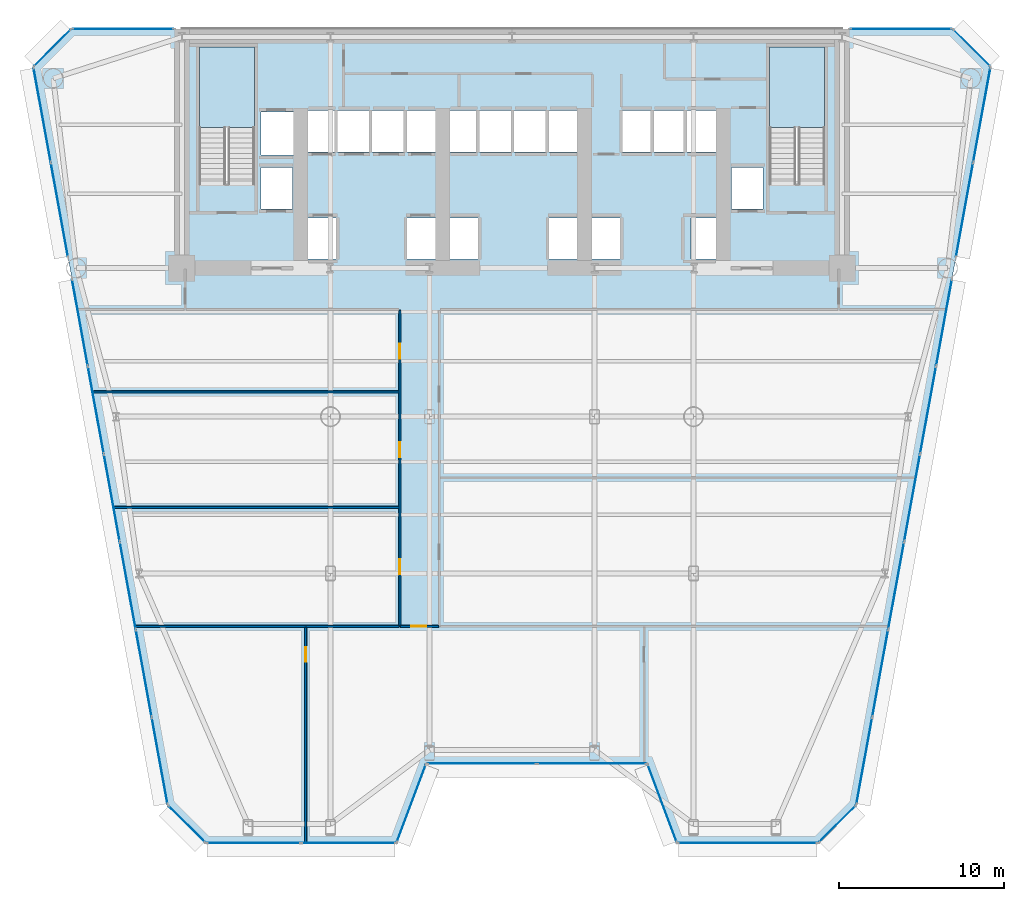
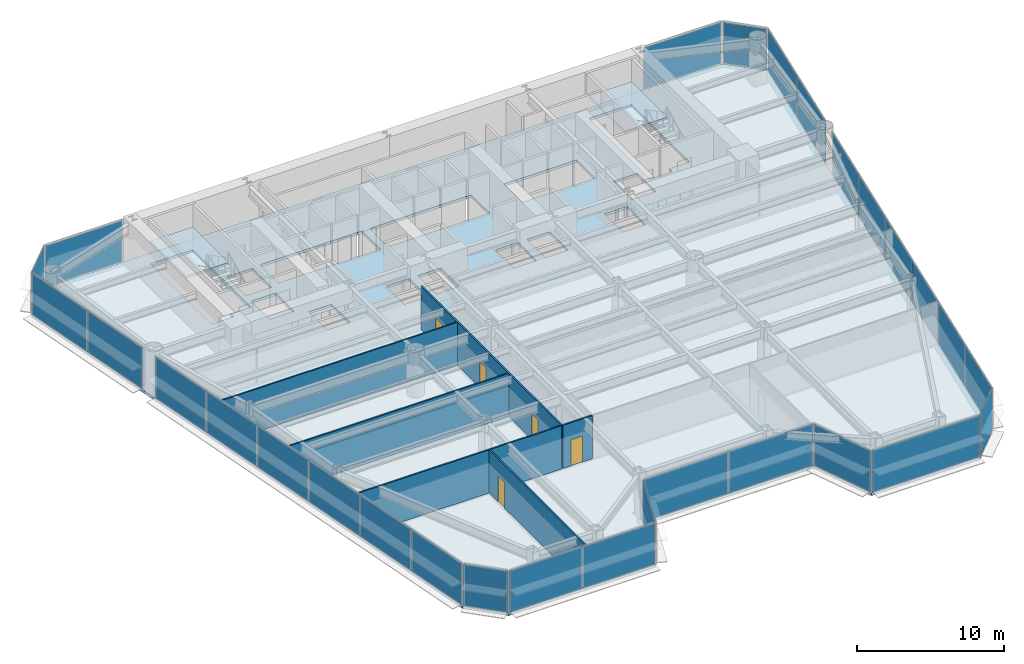
# One storey, part 7 of 14: 29 plates, 6 walls, 5 doors, 3 slabs, 5 openings, 17 elements without a shape of their own.
"""IFC4 building model written with IfcOpenShell, lengths in metres."""

from ifc_helpers import new_model, si_unit, direction, frame, frame_2d, origin, origin_2d, place, context, subcontext, project, spatial, polyline, rectangle, outline, extrude, source, transform, mapped, material, layer, layer_set, type_object, element, fill, aggregate, save


model = new_model("IFC4")

# Units and contexts
model_context = context("Model", 3, precision=1e-05, world=origin(), true_north=direction((0.0, 1.0)))
body_context = subcontext(model_context, "Body", "Model", "MODEL_VIEW")
ifc_project = project(units=[si_unit("LENGTHUNIT", "METRE"), si_unit("AREAUNIT", "SQUARE_METRE"), si_unit("VOLUMEUNIT", "CUBIC_METRE"), si_unit("PLANEANGLEUNIT", "RADIAN"), si_unit("MASSUNIT", "GRAM", prefix="KILO")], contexts=[model_context])

# Site, building, storey
site_placement = place(None, origin())
site = spatial("IfcSite", under=ifc_project, at=site_placement, CompositionType="ELEMENT")
building_placement = place(site_placement, origin())
building = spatial("IfcBuilding", under=site, at=building_placement, Name="Vaeldorn Concourse Tower", CompositionType="ELEMENT")
storey_placement = place(building_placement, frame((0.0, 0.0, 45.39990234375)))
storey = spatial("IfcBuildingStorey", under=building, at=storey_placement, Name="L11", CompositionType="ELEMENT", Elevation=45.39990234375)

# Stair, slab
ifc_material_1 = material(Name="Precast concrete C40/50", Category="concrete")
stair_type = type_object("IfcStairType", Name="STR-DOG-24x158", PredefinedType="HALF_TURN_STAIR", material=ifc_material_1)
stair_1_placement = place(storey_placement, origin())
stair_1 = element("IfcStair", 1, at=stair_1_placement, inside=storey, type_object=stair_type, Name="L11 West Core Exit Stair ST-1", PredefinedType="HALF_TURN_STAIR")
ifc_material_2 = material(Name="Concrete C40/50", Category="concrete")
ifc_layer_1 = layer(ifc_material_2, 0.199951171875)
ifc_layer_set_1 = layer_set([ifc_layer_1], Name="Concrete C40/50")
slab_type_1 = type_object("IfcSlabType", Name="SL-STAIR-LANDING", PredefinedType="LANDING", material=ifc_layer_set_1)
slab_1_placement = place(storey_placement, frame((0.0, 0.0, 1.7001953125)))
slab_1 = element("IfcSlab", 2, at=slab_1_placement, type_object=slab_type_1, Name="ST-1 landing 1", PredefinedType="LANDING", context=body_context, shape_type="SweptSolid", body=[
    extrude(outline(polyline([(18.39990234375, 45.010009765625), (18.39990234375, 49.89990234375), (15.050048828125, 49.89990234375), (15.050048828125, 45.010009765625), (18.39990234375, 45.010009765625)])), origin(), (0.0, 0.0, 1.0), 0.199951171875),
])
aggregate(stair_1, [slab_1])

stair_2_placement = place(storey_placement, origin())
stair_2 = element("IfcStair", 3, at=stair_2_placement, inside=storey, type_object=stair_type, Name="L11 East Core Exit Stair ST-2", PredefinedType="HALF_TURN_STAIR")
slab_2_placement = place(storey_placement, frame((0.0, 0.0, 1.7001953125)))
slab_2 = element("IfcSlab", 4, at=slab_2_placement, type_object=slab_type_1, Name="ST-2 landing 1", PredefinedType="LANDING", context=body_context, shape_type="SweptSolid", body=[
    extrude(outline(polyline([(52.949951171875, 45.010009765625), (52.949951171875, 49.89990234375), (49.60009765625, 49.89990234375), (49.60009765625, 45.010009765625), (52.949951171875, 45.010009765625)])), origin(), (0.0, 0.0, 1.0), 0.199951171875),
])
aggregate(stair_2, [slab_2])

# Slab
ifc_layer_2 = layer(ifc_material_2, 0.219970703125)
ifc_layer_set_2 = layer_set([ifc_layer_2], Name="Concrete C40/50")
slab_type_2 = type_object("IfcSlabType", Name="SL-TYP-220", PredefinedType="FLOOR", material=ifc_layer_set_2)
slab_3_placement = place(storey_placement, frame((0.0, 0.0, -0.219970703125)))
element("IfcSlab", 5, at=slab_3_placement, inside=storey, type_object=slab_type_2, Name="Structural Floor Slab L11", PredefinedType="FLOOR", context=body_context, shape_type="SweptSolid", body=[
    extrude(outline(polyline([(15.43896484375, 1.673583984375), (27.0, 1.673583984375), (28.800048828125, 6.473388671875), (42.199951171875, 6.473388671875), (44.0, 1.673583984375), (52.56103515625, 1.673583984375), (54.861083984375, 3.973388671875), (63.0, 48.699951171875), (60.699951171875, 51.0), (7.300048828125, 51.0), (5.0, 48.699951171875), (13.138916015625, 3.973388671875), (15.43896484375, 1.673583984375)]), holes=[polyline([(18.39990234375, 42.0), (18.39990234375, 49.89990234375), (15.050048828125, 49.89990234375), (15.050048828125, 41.60009765625), (16.800048828125, 41.60009765625), (16.800048828125, 42.0), (18.39990234375, 42.0)]), polyline([(52.949951171875, 42.0), (52.949951171875, 49.89990234375), (49.60009765625, 49.89990234375), (49.60009765625, 41.60009765625), (51.35009765625, 41.60009765625), (51.35009765625, 42.0), (52.949951171875, 42.0)]), polyline([(21.550048828125, 37.050048828125), (23.35009765625, 37.050048828125), (23.35009765625, 39.550048828125), (21.550048828125, 39.550048828125), (21.550048828125, 37.050048828125)]), polyline([(27.64990234375, 37.050048828125), (29.449951171875, 37.050048828125), (29.449951171875, 39.550048828125), (27.64990234375, 39.550048828125), (27.64990234375, 37.050048828125)]), polyline([(21.5, 43.550048828125), (29.5, 43.550048828125), (29.5, 46.050048828125), (21.5, 46.050048828125), (21.5, 43.550048828125)]), polyline([(30.14990234375, 37.050048828125), (31.949951171875, 37.050048828125), (31.949951171875, 39.550048828125), (30.14990234375, 39.550048828125), (30.14990234375, 37.050048828125)]), polyline([(36.25, 37.050048828125), (38.050048828125, 37.050048828125), (38.050048828125, 39.550048828125), (36.25, 39.550048828125), (36.25, 37.050048828125)]), polyline([(30.10009765625, 43.550048828125), (38.10009765625, 43.550048828125), (38.10009765625, 46.050048828125), (30.10009765625, 46.050048828125), (30.10009765625, 43.550048828125)]), polyline([(38.75, 37.050048828125), (40.550048828125, 37.050048828125), (40.550048828125, 39.550048828125), (38.75, 39.550048828125), (38.75, 37.050048828125)]), polyline([(44.85009765625, 37.050048828125), (46.64990234375, 37.050048828125), (46.64990234375, 39.550048828125), (44.85009765625, 39.550048828125), (44.85009765625, 37.050048828125)]), polyline([(40.699951171875, 43.550048828125), (46.39990234375, 43.550048828125), (46.39990234375, 46.050048828125), (40.699951171875, 46.050048828125), (40.699951171875, 43.550048828125)]), polyline([(18.800048828125, 43.35009765625), (20.800048828125, 43.35009765625), (20.800048828125, 45.949951171875), (18.800048828125, 45.949951171875), (18.800048828125, 43.35009765625)]), polyline([(18.800048828125, 40.10009765625), (20.699951171875, 40.10009765625), (20.699951171875, 42.60009765625), (18.800048828125, 42.60009765625), (18.800048828125, 40.10009765625)]), polyline([(47.300048828125, 40.10009765625), (49.199951171875, 40.10009765625), (49.199951171875, 42.60009765625), (47.300048828125, 42.60009765625), (47.300048828125, 40.10009765625)])]), origin(), (0.0, 0.0, 1.0), 0.219970703125),
])

# Curtain wall, plate
ifc_material_3 = material(Name="Anodised Bronze Aluminium", Category="aluminium")
ifc_layer_3 = layer(ifc_material_3, 0.219970703125)
ifc_layer_set_3 = layer_set([ifc_layer_3], Name="Anodised Bronze Aluminium")
curtain_wall_type = type_object("IfcCurtainWallType", Name="CW-SYS-01", PredefinedType="NOTDEFINED", material=ifc_layer_set_3)
curtain_wall_1_placement = place(storey_placement, origin())
curtain_wall_1 = element("IfcCurtainWall", 6, at=curtain_wall_1_placement, inside=storey, type_object=curtain_wall_type, Name="Unitised Curtain Wall CW-L11-E02-1", PredefinedType="NOTDEFINED")
ifc_material_4 = material(Name="Bronze Tinted Low-E Insulated Glass", Category="glass")
ifc_layer_4 = layer(ifc_material_4, 0.031982421875)
ifc_layer_set_4 = layer_set([ifc_layer_4], Name="Bronze Tinted Low-E Insulated Glass")
plate_type = type_object("IfcPlateType", Name="CWP-VISION-32", PredefinedType="CURTAIN_PANEL", material=ifc_layer_set_4)
shared_shape_1 = source(origin(), body_context, "Body", "SweptSolid", [
    extrude(rectangle(XDim=4.976318359375, YDim=0.031982421875, at=origin_2d()), origin(), (0.0, 0.0, 1.0), 3.429931640625),
])
plate_1_placement = place(storey_placement, frame((27.89990234375, 4.073486328125, 0.0751953125), z_axis=(0.0, 0.0, 1.0), x_axis=(0.351123441595, 0.936329177566, 0.0)))
plate_1 = element("IfcPlate", 7, at=plate_1_placement, type_object=plate_type, Name="CW-01 panel 1.1", PredefinedType="CURTAIN_PANEL", context=body_context, shape_type="MappedRepresentation", body=[
    mapped(shared_shape_1, transform((0.0, 0.0, 0.0), scale=1.0)),
])
aggregate(curtain_wall_1, [plate_1])

curtain_wall_2_placement = place(storey_placement, origin())
curtain_wall_2 = element("IfcCurtainWall", 8, at=curtain_wall_2_placement, inside=storey, type_object=curtain_wall_type, Name="Unitised Curtain Wall CW-L11-E04-1", PredefinedType="NOTDEFINED")
plate_2_placement = place(storey_placement, frame((43.10009765625, 4.073486328125, 0.0751953125), z_axis=(0.0, 0.0, 1.0), x_axis=(0.351123441595, -0.936329177566, 0.0)))
plate_2 = element("IfcPlate", 9, at=plate_2_placement, type_object=plate_type, Name="CW-01 panel 1.1", PredefinedType="CURTAIN_PANEL", context=body_context, shape_type="MappedRepresentation", body=[
    mapped(shared_shape_1, transform((0.0, 0.0, 0.0), scale=1.0)),
])
aggregate(curtain_wall_2, [plate_2])

# Curtain wall, plates
curtain_wall_3_placement = place(storey_placement, origin())
curtain_wall_3 = element("IfcCurtainWall", 10, at=curtain_wall_3_placement, inside=storey, type_object=curtain_wall_type, Name="Unitised Curtain Wall CW-L11-E03-1", PredefinedType="NOTDEFINED")
shared_shape_2 = source(origin(), body_context, "Body", "SweptSolid", [
    extrude(rectangle(XDim=6.58740234375, YDim=0.031982421875, at=origin_2d()), origin(), (0.0, 0.0, 1.0), 3.429931640625),
])
plate_3_placement = place(storey_placement, frame((32.168701171875, 6.473388671875, 0.0751953125), z_axis=(0.0, 0.0, 1.0), x_axis=(1.0, 0.0, 0.0)))
plate_3 = element("IfcPlate", 11, at=plate_3_placement, type_object=plate_type, Name="CW-01 panel 1.1", PredefinedType="CURTAIN_PANEL", context=body_context, shape_type="MappedRepresentation", body=[
    mapped(shared_shape_2, transform((0.0, 0.0, 0.0), scale=1.0)),
])
plate_4_placement = place(storey_placement, frame((38.831298828125, 6.473388671875, 0.0751953125), z_axis=(0.0, 0.0, 1.0), x_axis=(1.0, 0.0, 0.0)))
plate_4 = element("IfcPlate", 12, at=plate_4_placement, type_object=plate_type, Name="CW-01 panel 2.1", PredefinedType="CURTAIN_PANEL", context=body_context, shape_type="MappedRepresentation", body=[
    mapped(shared_shape_2, transform((0.0, 0.0, 0.0), scale=1.0)),
])
aggregate(curtain_wall_3, [plate_3, plate_4])

# Curtain wall, plate
curtain_wall_4_placement = place(storey_placement, origin())
curtain_wall_4 = element("IfcCurtainWall", 13, at=curtain_wall_4_placement, inside=storey, type_object=curtain_wall_type, Name="Unitised Curtain Wall CW-L11-E06-1", PredefinedType="NOTDEFINED")
shared_shape_3 = source(origin(), body_context, "Body", "SweptSolid", [
    extrude(rectangle(XDim=3.102783203125, YDim=0.031982421875, at=origin_2d()), origin(), (0.0, 0.0, 1.0), 3.429931640625),
])
plate_5_placement = place(storey_placement, frame((53.711181640625, 2.823486328125, 0.0751953125), z_axis=(0.0, 0.0, 1.0), x_axis=(0.707106781187, 0.707106781187, 0.0)))
plate_5 = element("IfcPlate", 14, at=plate_5_placement, type_object=plate_type, Name="CW-01 panel 1.1", PredefinedType="CURTAIN_PANEL", context=body_context, shape_type="MappedRepresentation", body=[
    mapped(shared_shape_3, transform((0.0, 0.0, 0.0), scale=1.0)),
])
aggregate(curtain_wall_4, [plate_5])

curtain_wall_5_placement = place(storey_placement, origin())
curtain_wall_5 = element("IfcCurtainWall", 15, at=curtain_wall_5_placement, inside=storey, type_object=curtain_wall_type, Name="Unitised Curtain Wall CW-L11-E08-1", PredefinedType="NOTDEFINED")
plate_6_placement = place(storey_placement, frame((61.85009765625, 49.85009765625, 0.0751953125), z_axis=(0.0, 0.0, 1.0), x_axis=(-0.707106781187, 0.707106781187, 0.0)))
plate_6 = element("IfcPlate", 16, at=plate_6_placement, type_object=plate_type, Name="CW-01 panel 1.1", PredefinedType="CURTAIN_PANEL", context=body_context, shape_type="MappedRepresentation", body=[
    mapped(shared_shape_3, transform((0.0, 0.0, 0.0), scale=1.0)),
])
aggregate(curtain_wall_5, [plate_6])

curtain_wall_6_placement = place(storey_placement, origin())
curtain_wall_6 = element("IfcCurtainWall", 17, at=curtain_wall_6_placement, inside=storey, type_object=curtain_wall_type, Name="Unitised Curtain Wall CW-L11-E10-1", PredefinedType="NOTDEFINED")
plate_7_placement = place(storey_placement, frame((6.14990234375, 49.85009765625, 0.0751953125), z_axis=(0.0, 0.0, 1.0), x_axis=(-0.707106781187, -0.707106781187, 0.0)))
plate_7 = element("IfcPlate", 18, at=plate_7_placement, type_object=plate_type, Name="CW-01 panel 1.1", PredefinedType="CURTAIN_PANEL", context=body_context, shape_type="MappedRepresentation", body=[
    mapped(shared_shape_3, transform((0.0, 0.0, 0.0), scale=1.0)),
])
aggregate(curtain_wall_6, [plate_7])

curtain_wall_7_placement = place(storey_placement, origin())
curtain_wall_7 = element("IfcCurtainWall", 19, at=curtain_wall_7_placement, inside=storey, type_object=curtain_wall_type, Name="Unitised Curtain Wall CW-L11-E12-1", PredefinedType="NOTDEFINED")
plate_8_placement = place(storey_placement, frame((14.288818359375, 2.823486328125, 0.0751953125), z_axis=(0.0, 0.0, 1.0), x_axis=(0.707106781187, -0.707106781187, 0.0)))
plate_8 = element("IfcPlate", 20, at=plate_8_placement, type_object=plate_type, Name="CW-01 panel 1.1", PredefinedType="CURTAIN_PANEL", context=body_context, shape_type="MappedRepresentation", body=[
    mapped(shared_shape_3, transform((0.0, 0.0, 0.0), scale=1.0)),
])
aggregate(curtain_wall_7, [plate_8])

curtain_wall_8_placement = place(storey_placement, origin())
curtain_wall_8 = element("IfcCurtainWall", 21, at=curtain_wall_8_placement, inside=storey, type_object=curtain_wall_type, Name="Unitised Curtain Wall CW-L11-E09-1", PredefinedType="NOTDEFINED")
shared_shape_4 = source(origin(), body_context, "Body", "SweptSolid", [
    extrude(rectangle(XDim=6.10498046875, YDim=0.031982421875, at=origin_2d()), origin(), (0.0, 0.0, 1.0), 3.429931640625),
])
plate_9_placement = place(storey_placement, frame((57.572509765625, 51.0, 0.0751953125), z_axis=(0.0, 0.0, 1.0), x_axis=(-1.0, 0.0, 0.0)))
plate_9 = element("IfcPlate", 22, at=plate_9_placement, type_object=plate_type, Name="CW-01 panel 1.1", PredefinedType="CURTAIN_PANEL", context=body_context, shape_type="MappedRepresentation", body=[
    mapped(shared_shape_4, transform((0.0, 0.0, 0.0), scale=1.0)),
])
aggregate(curtain_wall_8, [plate_9])

curtain_wall_9_placement = place(storey_placement, origin())
curtain_wall_9 = element("IfcCurtainWall", 23, at=curtain_wall_9_placement, inside=storey, type_object=curtain_wall_type, Name="Unitised Curtain Wall CW-L11-E09-2", PredefinedType="NOTDEFINED")
plate_10_placement = place(storey_placement, frame((10.427490234375, 51.0, 0.0751953125), z_axis=(0.0, 0.0, 1.0), x_axis=(-1.0, 0.0, 0.0)))
plate_10 = element("IfcPlate", 24, at=plate_10_placement, type_object=plate_type, Name="CW-01 panel 1.1", PredefinedType="CURTAIN_PANEL", context=body_context, shape_type="MappedRepresentation", body=[
    mapped(shared_shape_4, transform((0.0, 0.0, 0.0), scale=1.0)),
])
aggregate(curtain_wall_9, [plate_10])

# Curtain wall, plates
curtain_wall_10_placement = place(storey_placement, origin())
curtain_wall_10 = element("IfcCurtainWall", 25, at=curtain_wall_10_placement, inside=storey, type_object=curtain_wall_type, Name="Unitised Curtain Wall CW-L11-E01-1", PredefinedType="NOTDEFINED")
shared_shape_5 = source(origin(), body_context, "Body", "SweptSolid", [
    extrude(rectangle(XDim=5.66796875, YDim=0.031982421875, at=origin_2d()), origin(), (0.0, 0.0, 1.0), 3.429931640625),
])
plate_11_placement = place(storey_placement, frame((18.347900390625, 1.673583984375, 0.0751953125), z_axis=(0.0, 0.0, 1.0), x_axis=(1.0, 0.0, 0.0)))
plate_11 = element("IfcPlate", 26, at=plate_11_placement, type_object=plate_type, Name="CW-01 panel 1.1", PredefinedType="CURTAIN_PANEL", context=body_context, shape_type="MappedRepresentation", body=[
    mapped(shared_shape_5, transform((0.0, 0.0, 0.0), scale=1.0)),
])
plate_12_placement = place(storey_placement, frame((24.091064453125, 1.673583984375, 0.0751953125), z_axis=(0.0, 0.0, 1.0), x_axis=(1.0, 0.0, 0.0)))
plate_12 = element("IfcPlate", 27, at=plate_12_placement, type_object=plate_type, Name="CW-01 panel 2.1", PredefinedType="CURTAIN_PANEL", context=body_context, shape_type="MappedRepresentation", body=[
    mapped(shared_shape_5, transform((0.0, 0.0, 0.0), scale=1.0)),
])
aggregate(curtain_wall_10, [plate_11, plate_12])

# Curtain wall, plate
curtain_wall_11_placement = place(storey_placement, origin())
curtain_wall_11 = element("IfcCurtainWall", 28, at=curtain_wall_11_placement, inside=storey, type_object=curtain_wall_type, Name="Unitised Curtain Wall CW-L11-E05-1", PredefinedType="NOTDEFINED")
shared_shape_6 = source(origin(), body_context, "Body", "SweptSolid", [
    extrude(rectangle(XDim=8.4111328125, YDim=0.031982421875, at=origin_2d()), origin(), (0.0, 0.0, 1.0), 3.429931640625),
])
plate_13_placement = place(storey_placement, frame((48.280517578125, 1.673583984375, 0.0751953125), z_axis=(0.0, 0.0, 1.0), x_axis=(1.0, 0.0, 0.0)))
plate_13 = element("IfcPlate", 29, at=plate_13_placement, type_object=plate_type, Name="CW-01 panel 1.1", PredefinedType="CURTAIN_PANEL", context=body_context, shape_type="MappedRepresentation", body=[
    mapped(shared_shape_6, transform((0.0, 0.0, 0.0), scale=1.0)),
])
aggregate(curtain_wall_11, [plate_13])

# Curtain wall, plates
curtain_wall_12_placement = place(storey_placement, origin())
curtain_wall_12 = element("IfcCurtainWall", 30, at=curtain_wall_12_placement, inside=storey, type_object=curtain_wall_type, Name="Unitised Curtain Wall CW-L11-E07-1", PredefinedType="NOTDEFINED")
shared_shape_7 = source(origin(), body_context, "Body", "SweptSolid", [
    extrude(rectangle(XDim=5.292724609375, YDim=0.031982421875, at=origin_2d()), origin(), (0.0, 0.0, 1.0), 3.429931640625),
])
plate_14_placement = place(storey_placement, frame((55.348388671875, 6.65087890625, 0.0751953125), z_axis=(0.0, 0.0, 1.0), x_axis=(0.179029520807, 0.983843702363, 0.0)))
plate_14 = element("IfcPlate", 31, at=plate_14_placement, type_object=plate_type, Name="CW-01 panel 1.1", PredefinedType="CURTAIN_PANEL", context=body_context, shape_type="MappedRepresentation", body=[
    mapped(shared_shape_7, transform((0.0, 0.0, 0.0), scale=1.0)),
])
plate_15_placement = place(storey_placement, frame((60.179931640625, 33.203125, 0.0751953125), z_axis=(0.0, 0.0, 1.0), x_axis=(0.179029520807, 0.983843702363, 0.0)))
plate_15 = element("IfcPlate", 32, at=plate_15_placement, type_object=plate_type, Name="CW-01 panel 6.1", PredefinedType="CURTAIN_PANEL", context=body_context, shape_type="MappedRepresentation", body=[
    mapped(shared_shape_7, transform((0.0, 0.0, 0.0), scale=1.0)),
])

curtain_wall_13_placement = place(storey_placement, origin())
curtain_wall_13 = element("IfcCurtainWall", 33, at=curtain_wall_13_placement, inside=storey, type_object=curtain_wall_type, Name="Unitised Curtain Wall CW-L11-E11-2", PredefinedType="NOTDEFINED")
plate_16_placement = place(storey_placement, frame((7.820068359375, 33.203125, 0.0751953125), z_axis=(0.0, 0.0, 1.0), x_axis=(0.179029520807, -0.983843702363, 0.0)))
plate_16 = element("IfcPlate", 34, at=plate_16_placement, type_object=plate_type, Name="CW-01 panel 1.1", PredefinedType="CURTAIN_PANEL", context=body_context, shape_type="MappedRepresentation", body=[
    mapped(shared_shape_7, transform((0.0, 0.0, 0.0), scale=1.0)),
])
plate_17_placement = place(storey_placement, frame((12.651611328125, 6.65087890625, 0.0751953125), z_axis=(0.0, 0.0, 1.0), x_axis=(0.179029520807, -0.983843702363, 0.0)))
plate_17 = element("IfcPlate", 35, at=plate_17_placement, type_object=plate_type, Name="CW-01 panel 6.1", PredefinedType="CURTAIN_PANEL", context=body_context, shape_type="MappedRepresentation", body=[
    mapped(shared_shape_7, transform((0.0, 0.0, 0.0), scale=1.0)),
])

# Plate
shared_shape_8 = source(origin(), body_context, "Body", "SweptSolid", [
    extrude(rectangle(XDim=5.330078125, YDim=0.031982421875, at=origin_2d()), origin(), (0.0, 0.0, 1.0), 3.429931640625),
])
plate_18_placement = place(storey_placement, frame((56.312744140625, 11.9501953125, 0.0751953125), z_axis=(0.0, 0.0, 1.0), x_axis=(0.179029520807, 0.983843702363, 0.0)))
plate_18 = element("IfcPlate", 36, at=plate_18_placement, type_object=plate_type, Name="CW-01 panel 2.1", PredefinedType="CURTAIN_PANEL", context=body_context, shape_type="MappedRepresentation", body=[
    mapped(shared_shape_8, transform((0.0, 0.0, 0.0), scale=1.0)),
])

plate_19_placement = place(storey_placement, frame((57.2802734375, 17.26806640625, 0.0751953125), z_axis=(0.0, 0.0, 1.0), x_axis=(0.179029520807, 0.983843702363, 0.0)))
plate_19 = element("IfcPlate", 37, at=plate_19_placement, type_object=plate_type, Name="CW-01 panel 3.1", PredefinedType="CURTAIN_PANEL", context=body_context, shape_type="MappedRepresentation", body=[
    mapped(shared_shape_8, transform((0.0, 0.0, 0.0), scale=1.0)),
])

plate_20_placement = place(storey_placement, frame((58.248046875, 22.5859375, 0.0751953125), z_axis=(0.0, 0.0, 1.0), x_axis=(0.179029520807, 0.983843702363, 0.0)))
plate_20 = element("IfcPlate", 38, at=plate_20_placement, type_object=plate_type, Name="CW-01 panel 4.1", PredefinedType="CURTAIN_PANEL", context=body_context, shape_type="MappedRepresentation", body=[
    mapped(shared_shape_8, transform((0.0, 0.0, 0.0), scale=1.0)),
])

plate_21_placement = place(storey_placement, frame((59.215576171875, 27.90380859375, 0.0751953125), z_axis=(0.0, 0.0, 1.0), x_axis=(0.179029520807, 0.983843702363, 0.0)))
plate_21 = element("IfcPlate", 39, at=plate_21_placement, type_object=plate_type, Name="CW-01 panel 5.1", PredefinedType="CURTAIN_PANEL", context=body_context, shape_type="MappedRepresentation", body=[
    mapped(shared_shape_8, transform((0.0, 0.0, 0.0), scale=1.0)),
])

aggregate(curtain_wall_12, [plate_14, plate_18, plate_19, plate_20, plate_21, plate_15])

plate_22_placement = place(storey_placement, frame((8.784423828125, 27.90380859375, 0.0751953125), z_axis=(0.0, 0.0, 1.0), x_axis=(0.179029520807, -0.983843702363, 0.0)))
plate_22 = element("IfcPlate", 40, at=plate_22_placement, type_object=plate_type, Name="CW-01 panel 2.1", PredefinedType="CURTAIN_PANEL", context=body_context, shape_type="MappedRepresentation", body=[
    mapped(shared_shape_8, transform((0.0, 0.0, 0.0), scale=1.0)),
])

plate_23_placement = place(storey_placement, frame((9.751953125, 22.5859375, 0.0751953125), z_axis=(0.0, 0.0, 1.0), x_axis=(0.179029520807, -0.983843702363, 0.0)))
plate_23 = element("IfcPlate", 41, at=plate_23_placement, type_object=plate_type, Name="CW-01 panel 3.1", PredefinedType="CURTAIN_PANEL", context=body_context, shape_type="MappedRepresentation", body=[
    mapped(shared_shape_8, transform((0.0, 0.0, 0.0), scale=1.0)),
])

plate_24_placement = place(storey_placement, frame((10.7197265625, 17.26806640625, 0.0751953125), z_axis=(0.0, 0.0, 1.0), x_axis=(0.179029520807, -0.983843702363, 0.0)))
plate_24 = element("IfcPlate", 42, at=plate_24_placement, type_object=plate_type, Name="CW-01 panel 4.1", PredefinedType="CURTAIN_PANEL", context=body_context, shape_type="MappedRepresentation", body=[
    mapped(shared_shape_8, transform((0.0, 0.0, 0.0), scale=1.0)),
])

plate_25_placement = place(storey_placement, frame((11.687255859375, 11.9501953125, 0.0751953125), z_axis=(0.0, 0.0, 1.0), x_axis=(0.179029520807, -0.983843702363, 0.0)))
plate_25 = element("IfcPlate", 43, at=plate_25_placement, type_object=plate_type, Name="CW-01 panel 5.1", PredefinedType="CURTAIN_PANEL", context=body_context, shape_type="MappedRepresentation", body=[
    mapped(shared_shape_8, transform((0.0, 0.0, 0.0), scale=1.0)),
])

aggregate(curtain_wall_13, [plate_16, plate_22, plate_23, plate_24, plate_25, plate_17])

# Curtain wall, plates
curtain_wall_14_placement = place(storey_placement, origin())
curtain_wall_14 = element("IfcCurtainWall", 44, at=curtain_wall_14_placement, inside=storey, type_object=curtain_wall_type, Name="Unitised Curtain Wall CW-L11-E07-2", PredefinedType="NOTDEFINED")
shared_shape_9 = source(origin(), body_context, "Body", "SweptSolid", [
    extrude(rectangle(XDim=5.77294921875, YDim=0.031982421875, at=origin_2d()), origin(), (0.0, 0.0, 1.0), 3.429931640625),
])
plate_26_placement = place(storey_placement, frame((61.4228515625, 40.032958984375, 0.0751953125), z_axis=(0.0, 0.0, 1.0), x_axis=(0.17902972712, 0.98384366482, 0.0)))
plate_26 = element("IfcPlate", 45, at=plate_26_placement, type_object=plate_type, Name="CW-01 panel 1.1", PredefinedType="CURTAIN_PANEL", context=body_context, shape_type="MappedRepresentation", body=[
    mapped(shared_shape_9, transform((0.0, 0.0, 0.0), scale=1.0)),
])
plate_27_placement = place(storey_placement, frame((62.4697265625, 45.786376953125, 0.0751953125), z_axis=(0.0, 0.0, 1.0), x_axis=(0.17902972712, 0.98384366482, 0.0)))
plate_27 = element("IfcPlate", 46, at=plate_27_placement, type_object=plate_type, Name="CW-01 panel 2.1", PredefinedType="CURTAIN_PANEL", context=body_context, shape_type="MappedRepresentation", body=[
    mapped(shared_shape_9, transform((0.0, 0.0, 0.0), scale=1.0)),
])
aggregate(curtain_wall_14, [plate_26, plate_27])

curtain_wall_15_placement = place(storey_placement, origin())
curtain_wall_15 = element("IfcCurtainWall", 47, at=curtain_wall_15_placement, inside=storey, type_object=curtain_wall_type, Name="Unitised Curtain Wall CW-L11-E11-1", PredefinedType="NOTDEFINED")
plate_28_placement = place(storey_placement, frame((5.5302734375, 45.786376953125, 0.0751953125), z_axis=(0.0, 0.0, 1.0), x_axis=(0.17902972712, -0.98384366482, 0.0)))
plate_28 = element("IfcPlate", 48, at=plate_28_placement, type_object=plate_type, Name="CW-01 panel 1.1", PredefinedType="CURTAIN_PANEL", context=body_context, shape_type="MappedRepresentation", body=[
    mapped(shared_shape_9, transform((0.0, 0.0, 0.0), scale=1.0)),
])
plate_29_placement = place(storey_placement, frame((6.5771484375, 40.032958984375, 0.0751953125), z_axis=(0.0, 0.0, 1.0), x_axis=(0.17902972712, -0.98384366482, 0.0)))
plate_29 = element("IfcPlate", 49, at=plate_29_placement, type_object=plate_type, Name="CW-01 panel 2.1", PredefinedType="CURTAIN_PANEL", context=body_context, shape_type="MappedRepresentation", body=[
    mapped(shared_shape_9, transform((0.0, 0.0, 0.0), scale=1.0)),
])
aggregate(curtain_wall_15, [plate_28, plate_29])

# Wall, openings, doors
ifc_material_5 = material(Name="Gypsum Board Partition", Category="gypsum")
ifc_layer_5 = layer(ifc_material_5, 0.1201171875)
ifc_layer_set_5 = layer_set([ifc_layer_5], Name="Gypsum Board Partition")
wall_type = type_object("IfcWallType", Name="WL-PART-120", PredefinedType="PARTITIONING", material=ifc_layer_set_5)
wall_1_placement = place(storey_placement, frame((27.199951171875, 14.800048828125, 0.0), z_axis=(0.0, 0.0, 1.0), x_axis=(0.0, 1.0, 0.0)))
wall_1 = element("IfcWall", 50, at=wall_1_placement, inside=storey, type_object=wall_type, Name="Interior Wall PW-L11-CSPW", PredefinedType="PARTITIONING", context=body_context, shape_type="SweptSolid", body=[
    extrude(rectangle(XDim=19.139892578125, YDim=0.1201171875, at=frame_2d((9.56982421875, 0.0))), origin(), (0.0, 0.0, 1.0), 3.580078125),
])
opening_1_placement = place(wall_1_placement, frame((3.14990234375, 0.0, 0.0)))
opening_1 = element("IfcOpeningElement", 51, at=opening_1_placement, cuts=wall_1, Name="Opening D-03", PredefinedType="OPENING", context=body_context, shape_type="SweptSolid", body=[
    extrude(rectangle(XDim=0.89990234375, YDim=2.14990234375, at=frame_2d((0.449951171875, 1.074951171875))), frame((0.0, 0.070068359375, 0.0), z_axis=(0.0, -1.0, 0.0), x_axis=(1.0, 0.0, 0.0)), (0.0, 0.0, 1.0), 0.14013671875),
])
opening_2_placement = place(wall_1_placement, frame((10.25, 0.0, 0.0)))
opening_2 = element("IfcOpeningElement", 52, at=opening_2_placement, cuts=wall_1, Name="Opening D-03", PredefinedType="OPENING", context=body_context, shape_type="SweptSolid", body=[
    extrude(rectangle(XDim=0.89990234375, YDim=2.14990234375, at=frame_2d((0.449951171875, 1.074951171875))), frame((0.0, 0.070068359375, 0.0), z_axis=(0.0, -1.0, 0.0), x_axis=(1.0, 0.0, 0.0)), (0.0, 0.0, 1.0), 0.14013671875),
])
opening_3_placement = place(wall_1_placement, frame((16.219970703125, 0.0, 0.0)))
opening_3 = element("IfcOpeningElement", 53, at=opening_3_placement, cuts=wall_1, Name="Opening D-03", PredefinedType="OPENING", context=body_context, shape_type="SweptSolid", body=[
    extrude(rectangle(XDim=0.89990234375, YDim=2.14990234375, at=frame_2d((0.449951171875, 1.074951171875))), frame((0.0, 0.070068359375, 0.0), z_axis=(0.0, -1.0, 0.0), x_axis=(1.0, 0.0, 0.0)), (0.0, 0.0, 1.0), 0.14013671875),
])
ifc_material_6 = material(Name="Acoustic Bronze-Framed Glass Door", Category="glass")
door_type = type_object("IfcDoorType", Name="DR-INT-900", OperationType="NOTDEFINED", PredefinedType="DOOR", material=ifc_material_6)
shared_shape_10 = source(origin(), body_context, "Body", "SweptSolid", [
    extrude(rectangle(XDim=0.89990234375, YDim=2.14990234375, at=frame_2d((0.449951171875, 1.074951171875))), frame((0.0, 0.02490234375, 0.0), z_axis=(0.0, -1.0, 0.0), x_axis=(1.0, 0.0, 0.0)), (0.0, 0.0, 1.0), 0.050048828125),
])
door_1_placement = place(opening_1_placement, origin())
door_1 = element("IfcDoor", 54, at=door_1_placement, inside=storey, type_object=door_type, Name="Interior Door DR-L11-Z3W1", OperationType="SINGLE_SWING_LEFT", OverallHeight=2.14990234375, OverallWidth=0.89990234375, PredefinedType="DOOR", context=body_context, shape_type="MappedRepresentation", body=[
    mapped(shared_shape_10, transform((0.0, 0.0, 0.0), scale=1.0)),
])
fill(opening_1, door_1)
door_2_placement = place(opening_2_placement, origin())
door_2 = element("IfcDoor", 55, at=door_2_placement, inside=storey, type_object=door_type, Name="Interior Door DR-L11-Z3W2", OperationType="SINGLE_SWING_RIGHT", OverallHeight=2.14990234375, OverallWidth=0.89990234375, PredefinedType="DOOR", context=body_context, shape_type="MappedRepresentation", body=[
    mapped(shared_shape_10, transform((0.0, 0.0, 0.0), scale=1.0)),
])
fill(opening_2, door_2)
door_3_placement = place(opening_3_placement, origin())
door_3 = element("IfcDoor", 56, at=door_3_placement, inside=storey, type_object=door_type, Name="Interior Door DR-L11-Z3W3", OperationType="SINGLE_SWING_LEFT", OverallHeight=2.14990234375, OverallWidth=0.89990234375, PredefinedType="DOOR", context=body_context, shape_type="MappedRepresentation", body=[
    mapped(shared_shape_10, transform((0.0, 0.0, 0.0), scale=1.0)),
])
fill(opening_3, door_3)

# Wall, opening, door
wall_2_placement = place(storey_placement, frame((27.239990234375, 14.800048828125, 0.0), z_axis=(0.0, 0.0, 1.0), x_axis=(1.0, 0.0, 0.0)))
wall_2 = element("IfcWall", 57, at=wall_2_placement, inside=storey, type_object=wall_type, Name="Interior Wall PW-L11-CSPS", PredefinedType="PARTITIONING", context=body_context, shape_type="SweptSolid", body=[
    extrude(rectangle(XDim=2.320068359375, YDim=0.1201171875, at=frame_2d((1.16015625, 0.0))), origin(), (0.0, 0.0, 1.0), 3.580078125),
])
opening_4_placement = place(wall_2_placement, frame((0.64990234375, 0.0, 0.0)))
opening_4 = element("IfcOpeningElement", 58, at=opening_4_placement, cuts=wall_2, Name="Opening D-03", PredefinedType="OPENING", context=body_context, shape_type="SweptSolid", body=[
    extrude(rectangle(XDim=0.89990234375, YDim=2.14990234375, at=frame_2d((0.449951171875, 1.074951171875))), frame((0.0, 0.070068359375, 0.0), z_axis=(0.0, -1.0, 0.0), x_axis=(1.0, 0.0, 0.0)), (0.0, 0.0, 1.0), 0.14013671875),
])
door_4_placement = place(opening_4_placement, origin())
door_4 = element("IfcDoor", 59, at=door_4_placement, inside=storey, type_object=door_type, Name="Interior Door DR-L11-Z3SM", OperationType="SINGLE_SWING_LEFT", OverallHeight=2.14990234375, OverallWidth=0.89990234375, PredefinedType="DOOR", context=body_context, shape_type="MappedRepresentation", body=[
    mapped(shared_shape_10, transform((0.0, 0.0, 0.0), scale=1.0)),
])
fill(opening_4, door_4)

# Walls
wall_3_placement = place(storey_placement, frame((9.898681640625, 22.0, 0.0), z_axis=(0.0, 0.0, 1.0), x_axis=(1.0, 0.0, 0.0)))
element("IfcWall", 60, at=wall_3_placement, inside=storey, type_object=wall_type, Name="Interior Wall PW-L11-Z3WY1", PredefinedType="PARTITIONING", context=body_context, shape_type="SweptSolid", body=[
    extrude(rectangle(XDim=17.2412109375, YDim=0.1201171875, at=frame_2d((8.62060546875, 0.0))), origin(), (0.0, 0.0, 1.0), 3.580078125),
])
wall_4_placement = place(storey_placement, frame((8.624755859375, 29.0, 0.0), z_axis=(0.0, 0.0, 1.0), x_axis=(1.0, 0.0, 0.0)))
element("IfcWall", 61, at=wall_4_placement, inside=storey, type_object=wall_type, Name="Interior Wall PW-L11-Z3WY2", PredefinedType="PARTITIONING", context=body_context, shape_type="SweptSolid", body=[
    extrude(rectangle(XDim=18.51513671875, YDim=0.1201171875, at=frame_2d((9.257568359375, 0.0))), origin(), (0.0, 0.0, 1.0), 3.580078125),
])
wall_5_placement = place(storey_placement, frame((11.208740234375, 14.800048828125, 0.0), z_axis=(0.0, 0.0, 1.0), x_axis=(1.0, 0.0, 0.0)))
element("IfcWall", 62, at=wall_5_placement, inside=storey, type_object=wall_type, Name="Interior Wall PW-L11-Z3SWL", PredefinedType="PARTITIONING", context=body_context, shape_type="SweptSolid", body=[
    extrude(rectangle(XDim=15.93115234375, YDim=0.1201171875, at=frame_2d((7.965576171875, 0.0))), origin(), (0.0, 0.0, 1.0), 3.580078125),
])

# Wall, opening, door
wall_6_placement = place(storey_placement, frame((21.5, 1.71337890625, 0.0), z_axis=(0.0, 0.0, 1.0), x_axis=(0.0, 1.0, 0.0)))
wall_6 = element("IfcWall", 63, at=wall_6_placement, inside=storey, type_object=wall_type, Name="Interior Wall PW-L11-Z3SX1", PredefinedType="PARTITIONING", context=body_context, shape_type="SweptSolid", body=[
    extrude(rectangle(XDim=13.026611328125, YDim=0.1201171875, at=frame_2d((6.51318359375, 0.0))), origin(), (0.0, 0.0, 1.0), 3.580078125),
])
opening_5_placement = place(wall_6_placement, frame((10.927001953125, 0.0, 0.0)))
opening_5 = element("IfcOpeningElement", 64, at=opening_5_placement, cuts=wall_6, Name="Opening D-03", PredefinedType="OPENING", context=body_context, shape_type="SweptSolid", body=[
    extrude(rectangle(XDim=0.89990234375, YDim=2.14990234375, at=frame_2d((0.449951171875, 1.074951171875))), frame((0.0, 0.070068359375, 0.0), z_axis=(0.0, -1.0, 0.0), x_axis=(1.0, 0.0, 0.0)), (0.0, 0.0, 1.0), 0.14013671875),
])
door_5_placement = place(opening_5_placement, origin())
door_5 = element("IfcDoor", 65, at=door_5_placement, inside=storey, type_object=door_type, Name="Interior Door DR-L11-Z3SX1", OperationType="SINGLE_SWING_RIGHT", OverallHeight=2.14990234375, OverallWidth=0.89990234375, PredefinedType="DOOR", context=body_context, shape_type="MappedRepresentation", body=[
    mapped(shared_shape_10, transform((0.0, 0.0, 0.0), scale=1.0)),
])
fill(opening_5, door_5)

save(model, "model.ifc")
